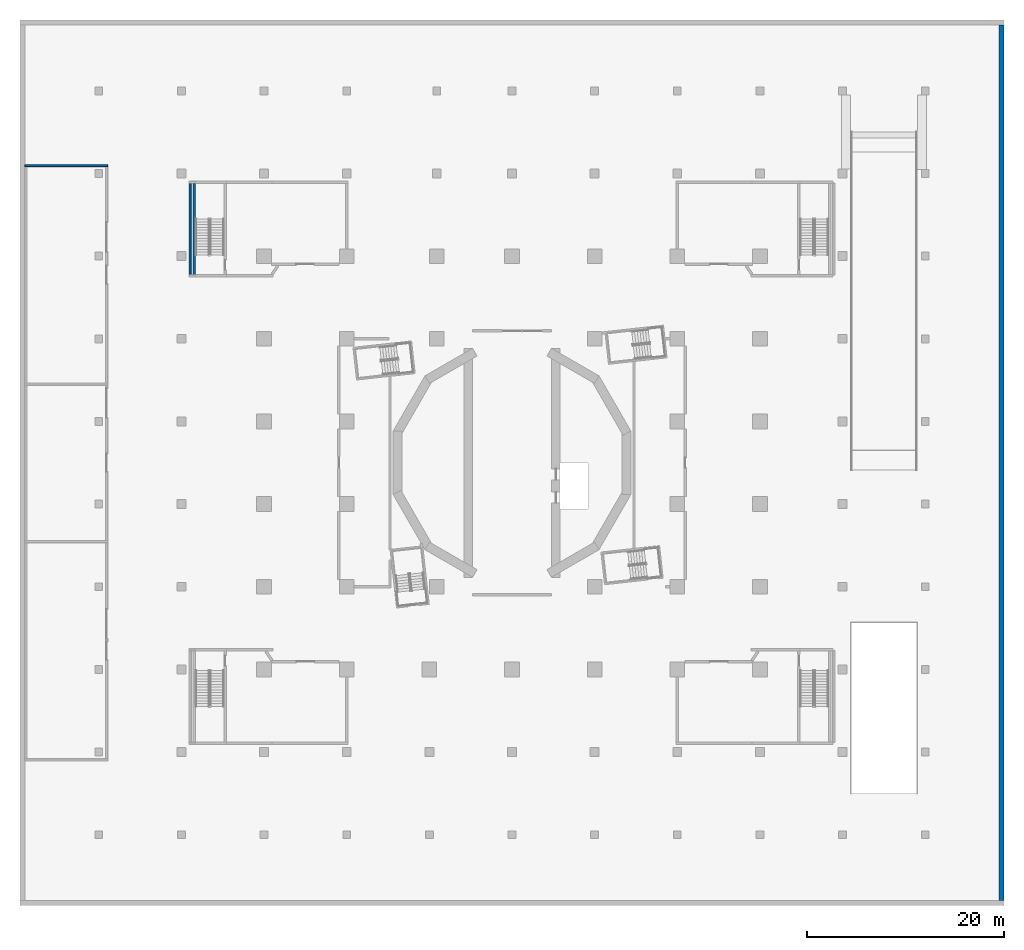
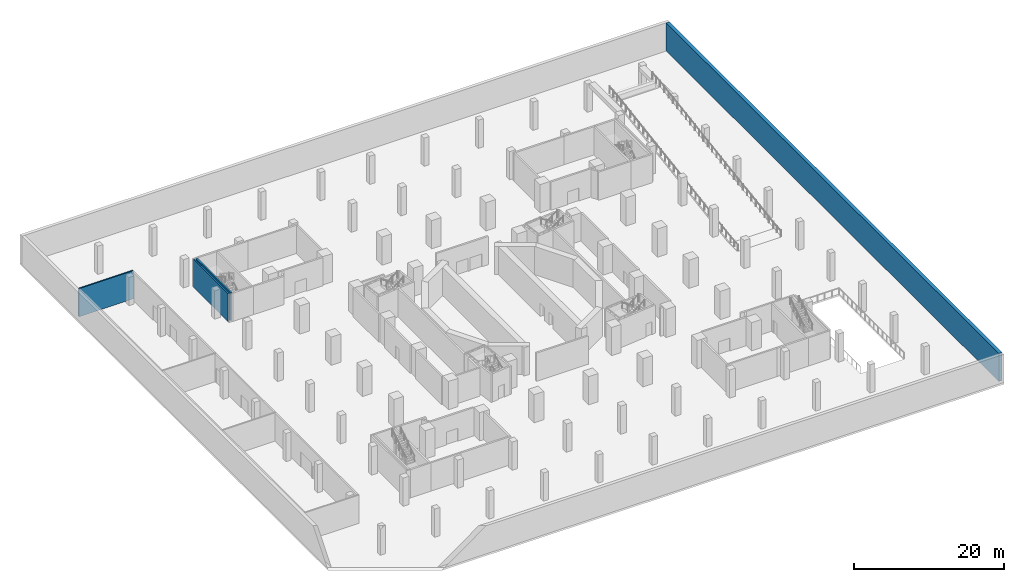
# One storey, part 7 of 20: 4 walls.
"""IFC4 building model written with IfcOpenShell, lengths in metres."""

import ifcopenshell
import ifcopenshell.guid

model = None  # the IFC model being written
_history = None  # IfcOwnerHistory: only IFC2X3 demands one
_inside = {}  # id of a spatial element -> (the spatial element, [elements in it])
_under = {}  # id of a project, library or spatial element -> (it, [spatial elements below it])
_declared = {}  # id of a project -> (the project, [libraries it declares])
_typed = {}  # id of a type object -> (the type object, [elements of that type])
_made_of = {}  # id of a material, layer set ... -> (it, [elements and type objects made of it])


def new_model(schema):
    """Start an empty IFC model of exactly this schema.

    Asked for "IFC4X3", IfcOpenShell would pick the latest addendum, in which some entities
    have other attributes; the version numbers below select the first issue.
    IFC2X3 requires an IfcOwnerHistory on every rooted entity: one is made here for all.
    """
    global model, _history
    if schema == "IFC4X3":
        model = ifcopenshell.file(schema_version=(4, 3, 0, 0))
    else:
        model = ifcopenshell.file(schema=schema)
    _inside.clear()
    _under.clear()
    _declared.clear()
    _typed.clear()
    _made_of.clear()
    _history = None
    if model.schema == "IFC2X3":
        org = make("IfcOrganization", Name="unknown")
        user = make(
            "IfcPersonAndOrganization",
            ThePerson=make("IfcPerson", FamilyName="unknown"),
            TheOrganization=org,
        )
        app = make(
            "IfcApplication",
            ApplicationDeveloper=org,
            Version="unknown",
            ApplicationFullName="unknown",
            ApplicationIdentifier="unknown",
        )
        _history = make(
            "IfcOwnerHistory",
            OwningUser=user,
            OwningApplication=app,
            ChangeAction="ADDED",
            CreationDate=0,
        )
    return model


def make(cls, **values):
    """One entity of the class cls with the attributes given. An attribute that is None is left unset."""
    return model.create_entity(
        cls, **{name: value for name, value in values.items() if value is not None}
    )


def rooted(cls, **values):
    """An entity with a GlobalId (a new one), such as an element, a storey or a relation."""
    return make(cls, GlobalId=ifcopenshell.guid.new(), OwnerHistory=_history, **values)


def si_unit(unit_type, name, prefix=None):
    """IfcSIUnit, for example si_unit("LENGTHUNIT", "METRE", prefix="MILLI")."""
    return make("IfcSIUnit", UnitType=unit_type, Prefix=prefix, Name=name)


def assignment(units):
    """IfcUnitAssignment: the units of a project."""
    return None if units is None else make("IfcUnitAssignment", Units=units)


def point(xyz):
    """IfcCartesianPoint."""
    return None if xyz is None else make("IfcCartesianPoint", Coordinates=xyz)


def direction(xyz):
    """IfcDirection."""
    return None if xyz is None else make("IfcDirection", DirectionRatios=xyz)


def frame(location, z_axis=None, x_axis=None):
    """IfcAxis2Placement3D, a coordinate frame: its origin and axes. An axis left out is left unset."""
    return make(
        "IfcAxis2Placement3D",
        Location=point(location),
        Axis=direction(z_axis),
        RefDirection=direction(x_axis),
    )


def frame_2d(location, x_axis=None):
    """IfcAxis2Placement2D, a coordinate frame in the plane: its origin and x axis."""
    return make(
        "IfcAxis2Placement2D", Location=point(location), RefDirection=direction(x_axis)
    )


def origin():
    """The frame at (0, 0, 0) with its axes left unset."""
    return frame((0.0, 0.0, 0.0))


def place(relative_to, where):
    """IfcLocalPlacement: puts the frame where relative to a parent placement (None: the world)."""
    return make(
        "IfcLocalPlacement", PlacementRelTo=relative_to, RelativePlacement=where
    )


def context(
    kind, dimensions, precision=None, world=None, true_north=None, identifier=None
):
    """IfcGeometricRepresentationContext, for example the 3D "Model" context."""
    return make(
        "IfcGeometricRepresentationContext",
        ContextIdentifier=identifier,
        ContextType=kind,
        CoordinateSpaceDimension=dimensions,
        Precision=precision,
        WorldCoordinateSystem=world,
        TrueNorth=true_north,
    )


def subcontext(parent, identifier, kind, view, scale=None):
    """IfcGeometricRepresentationSubContext, for example "Body" below "Model"."""
    return make(
        "IfcGeometricRepresentationSubContext",
        ContextIdentifier=identifier,
        ContextType=kind,
        ParentContext=parent,
        TargetScale=scale,
        TargetView=view,
    )


def project(units=None, contexts=None):
    """IfcProject with its units and contexts."""
    return rooted(
        "IfcProject",
        Name="project",
        RepresentationContexts=contexts,
        UnitsInContext=assignment(units),
    )


def spatial(cls, under=None, at=None, **own):
    """A site, building, storey or space (cls), placed at a placement, below another one or the project."""
    s = rooted(cls, ObjectPlacement=at, **own)
    if under is not None:
        _under.setdefault(under.id(), (under, []))[1].append(s)
    return s


def profile(cls, at=None, kind="AREA", **sizes):
    """A parametric profile (cls). Its sizes go by their IFC names, for example OverallWidth=200.0."""
    return make(cls, ProfileType=kind, Position=at, **sizes)


def rectangle(**sizes):
    """IfcRectangleProfileDef."""
    return profile("IfcRectangleProfileDef", **sizes)


def extrude(swept, where, along, depth):
    """IfcExtrudedAreaSolid: the profile swept, set in the frame where, extruded along a direction by depth."""
    return make(
        "IfcExtrudedAreaSolid",
        SweptArea=swept,
        Position=where,
        ExtrudedDirection=direction(along),
        Depth=depth,
    )


def shape(context_of_items, identifier, shape_type, items):
    """IfcShapeRepresentation: the items that make up one representation, for example the "Body"."""
    return make(
        "IfcShapeRepresentation",
        ContextOfItems=context_of_items,
        RepresentationIdentifier=identifier,
        RepresentationType=shape_type,
        Items=items,
    )


def material(Name=None, Category=None):
    """IfcMaterial."""
    return make("IfcMaterial", Name=Name, Category=Category)


def layer(
    of_material, thickness, ventilated=None, Name=None, Category=None, Priority=None
):
    """IfcMaterialLayer: one layer of a wall or slab, of a material (None: an air gap)."""
    return make(
        "IfcMaterialLayer",
        Material=of_material,
        LayerThickness=thickness,
        IsVentilated=ventilated,
        Name=Name,
        Category=Category,
        Priority=Priority,
    )


def layer_set(layers, Name=None):
    """IfcMaterialLayerSet."""
    return make("IfcMaterialLayerSet", MaterialLayers=layers, LayerSetName=Name)


def made_of(thing, what):
    """Note that an element or type object is made of a material, layer set ...; save() writes the relation."""
    if what is not None:
        _made_of.setdefault(what.id(), (what, []))[1].append(thing)
    return thing


def type_object(cls, material=None, **own):
    """A type object (cls), such as IfcWallType, which elements share."""
    return made_of(rooted(cls, **own), material)


def element(
    cls,
    number,
    at=None,
    inside=None,
    cuts=None,
    type_object=None,
    material=None,
    context=None,
    identifier="Body",
    shape_type=None,
    held_by="IfcProductDefinitionShape",
    body=None,
    shapes=None,
    **own,
):
    """One element of the class cls, such as IfcWall. Its Tag is "e" and its number.

    at: its placement. inside: the storey or other place that contains it. cuts: it is an
    opening in that element (IfcRelVoidsElement). A single representation is given by context,
    identifier, shape_type and body (its items); several are given by shapes. held_by: the class
    of the entity that holds the representations. save() writes the other relations.
    """
    e = rooted(cls, Tag="e%d" % number, ObjectPlacement=at, **own)
    if body is not None:
        shapes = [shape(context, identifier, shape_type, body)]
    if shapes is not None:
        e.Representation = make(held_by, Representations=shapes)
    if inside is not None:
        _inside.setdefault(inside.id(), (inside, []))[1].append(e)
    if cuts is not None:
        rooted(
            "IfcRelVoidsElement", RelatingBuildingElement=cuts, RelatedOpeningElement=e
        )
    if type_object is not None:
        _typed.setdefault(type_object.id(), (type_object, []))[1].append(e)
    return made_of(e, material)


def aggregate(whole, parts):
    """IfcRelAggregates: a whole, such as a stair, and the parts it consists of."""
    return rooted("IfcRelAggregates", RelatingObject=whole, RelatedObjects=parts)


def save(model, path):
    """Write the relations noted so far, then the file.

    IfcRelAggregates (storeys below a building ...), IfcRelContainedInSpatialStructure (elements
    in a storey), IfcRelDefinesByType, IfcRelAssociatesMaterial and IfcRelDeclares: one each for
    every whole, place, type object, material and project.
    """
    for whole, parts in _under.values():
        aggregate(whole, parts)
    for where, things in _inside.values():
        rooted(
            "IfcRelContainedInSpatialStructure",
            RelatedElements=things,
            RelatingStructure=where,
        )
    for kind, things in _typed.values():
        rooted("IfcRelDefinesByType", RelatedObjects=things, RelatingType=kind)
    for what, things in _made_of.values():
        rooted("IfcRelAssociatesMaterial", RelatedObjects=things, RelatingMaterial=what)
    for by, libraries in _declared.values():
        rooted("IfcRelDeclares", RelatingContext=by, RelatedDefinitions=libraries)
    model.write(path)


model = new_model("IFC4")

# Units and contexts
model_context = context("Model", 3, precision=1e-05, world=origin(), true_north=direction((0.0, 1.0)))
body_context = subcontext(model_context, "Body", "Model", "MODEL_VIEW")
ifc_project = project(units=[si_unit("LENGTHUNIT", "METRE"), si_unit("AREAUNIT", "SQUARE_METRE"), si_unit("VOLUMEUNIT", "CUBIC_METRE"), si_unit("PLANEANGLEUNIT", "RADIAN"), si_unit("MASSUNIT", "GRAM", prefix="KILO")], contexts=[model_context])

# Site, building, storey
site_placement = place(None, origin())
site = spatial("IfcSite", under=ifc_project, at=site_placement, CompositionType="ELEMENT")
building_placement = place(site_placement, origin())
building = spatial("IfcBuilding", under=site, at=building_placement, Name="Cantera Rosa Tower", CompositionType="ELEMENT")
storey_placement = place(building_placement, frame((0.0, 0.0, -5.0)))
storey = spatial("IfcBuildingStorey", under=building, at=storey_placement, Name="B1", CompositionType="ELEMENT", Elevation=-5.0)

# Walls
ifc_material_1 = material(Name="Masonry blockwork", Category="masonry")
ifc_layer_1 = layer(ifc_material_1, 0.199951171875)
ifc_layer_set_1 = layer_set([ifc_layer_1], Name="Blockwork partition 200")
wall_type_1 = type_object("IfcWallType", Name="Blockwork partition 200", PredefinedType="PARTITIONING", material=ifc_layer_set_1)
wall_1_placement = place(storey_placement, frame((-32.699951171875, 19.10009765625, 0.0), z_axis=(0.0, 0.0, 1.0), x_axis=(0.0, 1.0, 0.0)))
element("IfcWall", 1, at=wall_1_placement, inside=storey, type_object=wall_type_1, Name="Partition B1-45", PredefinedType="PARTITIONING", context=body_context, shape_type="SweptSolid", body=[
    extrude(rectangle(XDim=9.2998046875, YDim=0.199951171875, at=frame_2d((4.64990234375, 0.0))), origin(), (0.0, 0.0, 1.0), 4.60009765625),
])
wall_2_placement = place(storey_placement, frame((-49.5, 30.199951171875, 0.0), z_axis=(0.0, 0.0, 1.0), x_axis=(1.0, 0.0, 0.0)))
element("IfcWall", 2, at=wall_2_placement, inside=storey, type_object=wall_type_1, Name="Partition B1-73", PredefinedType="PARTITIONING", context=body_context, shape_type="SweptSolid", body=[
    extrude(rectangle(XDim=8.39990234375, YDim=0.199951171875, at=frame_2d((4.199951171875, 0.0))), origin(), (0.0, 0.0, 1.0), 4.60009765625),
])
ifc_material_2 = material(Name="Concrete C50/60", Category="concrete")
ifc_layer_2 = layer(ifc_material_2, 0.25)
ifc_layer_set_2 = layer_set([ifc_layer_2], Name="RC stair wall 250 C50/60")
wall_type_2 = type_object("IfcWallType", Name="RC stair wall 250", PredefinedType="SOLIDWALL", material=ifc_layer_set_2)
wall_3_placement = place(storey_placement, frame((-32.300048828125, 19.10009765625, 0.0), z_axis=(0.0, 0.0, 1.0), x_axis=(0.0, 1.0, 0.0)))
element("IfcWall", 3, at=wall_3_placement, inside=storey, type_object=wall_type_2, Name="Stair wall B1-43", PredefinedType="SOLIDWALL", context=body_context, shape_type="SweptSolid", body=[
    extrude(rectangle(XDim=9.2998046875, YDim=0.25, at=frame_2d((4.64990234375, 0.0))), origin(), (0.0, 0.0, 1.0), 4.60009765625),
])
ifc_material_3 = material(Name="Concrete C40/50", Category="concrete")
ifc_layer_3 = layer(ifc_material_3, 0.5)
ifc_layer_set_3 = layer_set([ifc_layer_3], Name="Retaining wall 500")
wall_type_3 = type_object("IfcWallType", Name="Retaining wall 500", PredefinedType="SOLIDWALL", material=ifc_layer_set_3)
wall_4_placement = place(storey_placement, frame((49.75, -44.5, 0.0), z_axis=(0.0, 0.0, 1.0), x_axis=(0.0, 1.0, 0.0)))
element("IfcWall", 4, at=wall_4_placement, inside=storey, type_object=wall_type_3, Name="Retaining wall E B1", PredefinedType="SOLIDWALL", context=body_context, shape_type="SweptSolid", body=[
    extrude(rectangle(XDim=89.0, YDim=0.5, at=frame_2d((44.5, 0.0))), origin(), (0.0, 0.0, 1.0), 4.60009765625),
])

save(model, "model.ifc")
